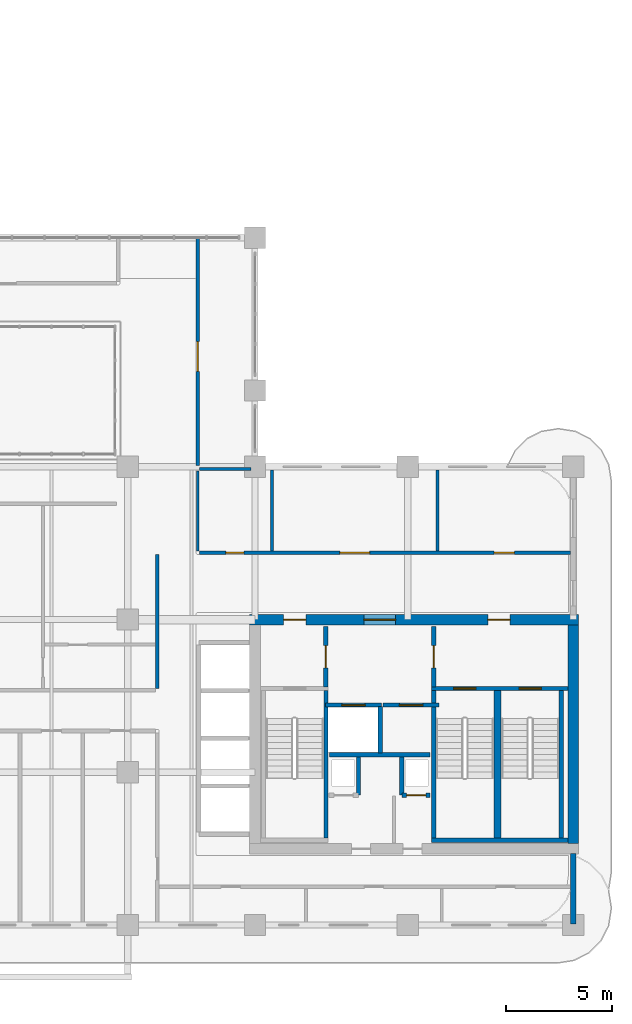
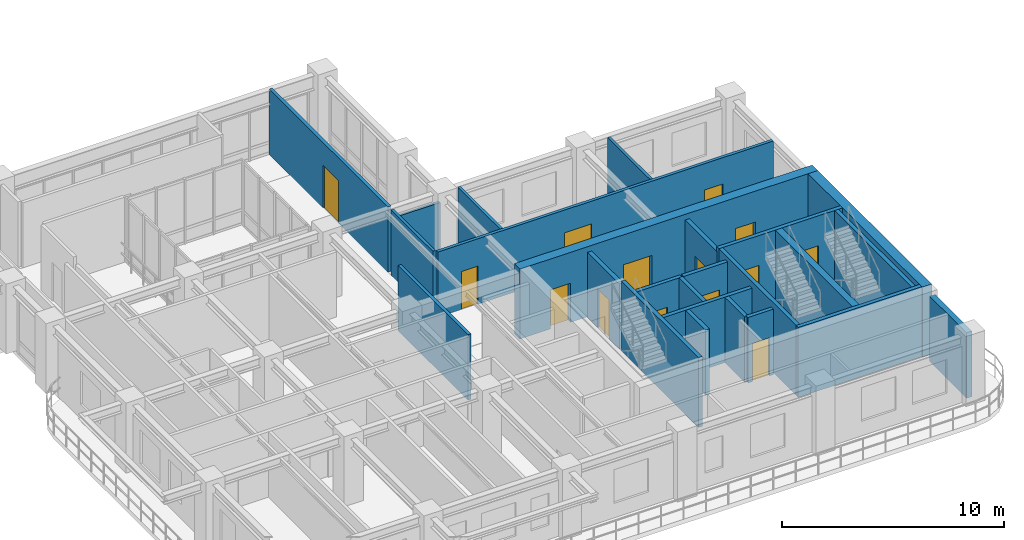
# One storey, part 13 of 21: 25 walls, 14 doors, 14 openings.
"""IFC4 building model written with IfcOpenShell, lengths in metres."""

from ifc_helpers import new_model, si_unit, derived_unit, direction, frame, frame_2d, origin, place, context, subcontext, project, spatial, rectangle, extrude, source, transform, mapped, material, layer, layer_set, type_object, type_shapes, element, fill, save


model = new_model("IFC4")

# Units and contexts
model_context = context("Model", 3, precision=1e-05, world=origin(), true_north=direction((0.0, 1.0)))
body_context = subcontext(model_context, "Body", "Model", "MODEL_VIEW")
ifc_project = project(units=[si_unit("LENGTHUNIT", "METRE"), si_unit("AREAUNIT", "SQUARE_METRE"), si_unit("VOLUMEUNIT", "CUBIC_METRE"), si_unit("PLANEANGLEUNIT", "RADIAN"), si_unit("MASSUNIT", "GRAM", prefix="KILO"), si_unit("THERMODYNAMICTEMPERATUREUNIT", "KELVIN"), si_unit("POWERUNIT", "WATT"), derived_unit("THERMALTRANSMITTANCEUNIT", [(si_unit("POWERUNIT", "WATT"), 1), (si_unit("AREAUNIT", "SQUARE_METRE"), -1), (si_unit("THERMODYNAMICTEMPERATUREUNIT", "KELVIN"), -1)])], contexts=[model_context])

# Site, building, storey
site_placement = place(None, origin())
site = spatial("IfcSite", under=ifc_project, at=site_placement, CompositionType="ELEMENT")
building_placement = place(site_placement, origin())
building = spatial("IfcBuilding", under=site, at=building_placement, Name="Zahravan Archway Hotel and Residences", CompositionType="ELEMENT")
storey_placement = place(building_placement, frame((0.0, 0.0, 165.699951171875)))
storey = spatial("IfcBuildingStorey", under=building, at=storey_placement, Name="L41", CompositionType="ELEMENT", Elevation=165.699951171875)

# Wall, openings, doors
ifc_material_1 = material(Name="Concrete C60/75", Category="concrete")
ifc_layer_1 = layer(ifc_material_1, 0.5, Name="Concrete C60/75", Category="concrete")
ifc_layer_set_1 = layer_set([ifc_layer_1], Name="Concrete C60/75")
wall_type_1 = type_object("IfcWallType", Name="CW-CORE-500", PredefinedType="SHEAR", material=ifc_layer_set_1)
wall_1_placement = place(storey_placement, frame((34.550048828125, 14.39990234375, 0.0), z_axis=(0.0, 0.0, 1.0), x_axis=(1.0, 0.0, 0.0)))
wall_1 = element("IfcWall", 1, at=wall_1_placement, inside=storey, type_object=wall_type_1, Name="L41 Core A Shear N Wall 500 mm", PredefinedType="SHEAR", context=body_context, shape_type="SweptSolid", body=[
    extrude(rectangle(XDim=15.5, YDim=0.5, at=frame_2d((7.75, 0.0))), origin(), (0.0, 0.0, 1.0), 3.85009765625),
])
opening_1_placement = place(wall_1_placement, frame((5.3798828125, 0.0, 0.0)))
opening_1 = element("IfcOpeningElement", 2, at=opening_1_placement, cuts=wall_1, Name="Opening FD-L1", PredefinedType="OPENING", context=body_context, shape_type="SweptSolid", body=[
    extrude(rectangle(XDim=1.5, YDim=2.199951171875, at=frame_2d((0.75, 1.10009765625))), frame((0.0, 0.260009765625, 0.0), z_axis=(0.0, -1.0, 0.0), x_axis=(1.0, 0.0, 0.0)), (0.0, 0.0, 1.0), 0.52001953125),
])
opening_2_placement = place(wall_1_placement, frame((1.594970703125, 0.0, 0.0)))
opening_2 = element("IfcOpeningElement", 3, at=opening_2_placement, cuts=wall_1, Name="Opening FD-L2", PredefinedType="OPENING", context=body_context, shape_type="SweptSolid", body=[
    extrude(rectangle(XDim=1.050048828125, YDim=2.14990234375, at=frame_2d((0.52490234375, 1.074951171875))), frame((0.0, 0.260009765625, 0.0), z_axis=(0.0, -1.0, 0.0), x_axis=(1.0, 0.0, 0.0)), (0.0, 0.0, 1.0), 0.52001953125),
])
opening_3_placement = place(wall_1_placement, frame((11.22509765625, 0.0, 0.0)))
opening_3 = element("IfcOpeningElement", 4, at=opening_3_placement, cuts=wall_1, Name="Opening FD-L2", PredefinedType="OPENING", context=body_context, shape_type="SweptSolid", body=[
    extrude(rectangle(XDim=1.050048828125, YDim=2.14990234375, at=frame_2d((0.52490234375, 1.074951171875))), frame((0.0, 0.260009765625, 0.0), z_axis=(0.0, -1.0, 0.0), x_axis=(1.0, 0.0, 0.0)), (0.0, 0.0, 1.0), 0.52001953125),
])
ifc_material_2 = material(Name="Fire-Rated Painted Steel", Category="steel")
door_type_1 = type_object("IfcDoorType", Name="FD-LOBBY-1100", OperationType="NOTDEFINED", PredefinedType="DOOR", material=ifc_material_2)
shared_shape_1 = source(origin(), body_context, "Body", "SweptSolid", [
    extrude(rectangle(XDim=1.050048828125, YDim=2.14990234375, at=frame_2d((0.52490234375, 1.074951171875))), frame((0.0, 0.02490234375, 0.0), z_axis=(0.0, -1.0, 0.0), x_axis=(1.0, 0.0, 0.0)), (0.0, 0.0, 1.0), 0.050048828125),
])
type_shapes(door_type_1, [shared_shape_1])
door_1_placement = place(opening_2_placement, origin())
door_1 = element("IfcDoor", 5, at=door_1_placement, inside=storey, type_object=door_type_1, Name="L41 Core A West Stair Lobby Door", OperationType="SINGLE_SWING_LEFT", OverallHeight=2.14990234375, OverallWidth=1.050048828125, PredefinedType="DOOR", context=body_context, shape_type="MappedRepresentation", body=[
    mapped(shared_shape_1, transform((0.0, 0.0, 0.0), scale=1.0)),
])
fill(opening_2, door_1)
door_2_placement = place(opening_3_placement, origin())
door_2 = element("IfcDoor", 6, at=door_2_placement, inside=storey, type_object=door_type_1, Name="L41 Core A East Stair Lobby Door", OperationType="SINGLE_SWING_RIGHT", OverallHeight=2.14990234375, OverallWidth=1.050048828125, PredefinedType="DOOR", context=body_context, shape_type="MappedRepresentation", body=[
    mapped(shared_shape_1, transform((0.0, 0.0, 0.0), scale=1.0)),
])
fill(opening_3, door_2)
door_type_2 = type_object("IfcDoorType", Name="FD-LOBBY-1500", OperationType="DOUBLE_DOOR_SINGLE_SWING", PredefinedType="DOOR", material=ifc_material_2)
shared_shape_2 = source(origin(), body_context, "Body", "SweptSolid", [
    extrude(rectangle(XDim=1.5, YDim=2.199951171875, at=frame_2d((0.75, 1.10009765625))), frame((0.0, 0.02490234375, 0.0), z_axis=(0.0, -1.0, 0.0), x_axis=(1.0, 0.0, 0.0)), (0.0, 0.0, 1.0), 0.050048828125),
])
type_shapes(door_type_2, [shared_shape_2])
door_3_placement = place(opening_1_placement, origin())
door_3 = element("IfcDoor", 7, at=door_3_placement, inside=storey, type_object=door_type_2, Name="L41 Core A FSAE Lobby Main Door", OperationType="DOUBLE_DOOR_SINGLE_SWING", OverallHeight=2.199951171875, OverallWidth=1.5, PredefinedType="DOOR", context=body_context, shape_type="MappedRepresentation", body=[
    mapped(shared_shape_2, transform((0.0, 0.0, 0.0), scale=1.0)),
])
fill(opening_1, door_3)

# Walls
wall_2_placement = place(storey_placement, frame((49.800048828125, 3.85009765625, 0.0), z_axis=(0.0, 0.0, 1.0), x_axis=(0.0, 1.0, 0.0)))
element("IfcWall", 8, at=wall_2_placement, inside=storey, type_object=wall_type_1, Name="L41 Core A Shear E Wall 500 mm", PredefinedType="SHEAR", context=body_context, shape_type="SweptSolid", body=[
    extrude(rectangle(XDim=10.2998046875, YDim=0.5, at=frame_2d((5.14990234375, 0.0))), origin(), (0.0, 0.0, 1.0), 3.85009765625),
])
ifc_material_3 = material(Name="Honed Red-Ochre Sandstone & Insulated Block", Category="masonry")
ifc_layer_2 = layer(ifc_material_3, 0.280029296875, Name="Honed Red-Ochre Sandstone & Insulated Block", Category="masonry")
ifc_layer_set_2 = layer_set([ifc_layer_2], Name="Honed Red-Ochre Sandstone & Insulated Block")
wall_type_2 = type_object("IfcWallType", Name="EW-LOG-280", PredefinedType="SOLIDWALL", material=ifc_layer_set_2)
wall_3_placement = place(storey_placement, frame((49.800048828125, 0.050048828125, 0.0), z_axis=(0.0, 0.0, 1.0), x_axis=(0.0, 1.0, 0.0)))
element("IfcWall", 9, at=wall_3_placement, inside=storey, type_object=wall_type_2, Name="L41 Exterior Sandstone Wall WA-ES", PredefinedType="SOLIDWALL", context=body_context, shape_type="SweptSolid", body=[
    extrude(rectangle(XDim=3.329833984375, YDim=0.280029296875, at=frame_2d((1.6650390625, 0.0))), origin(), (0.0, 0.0, 1.0), 3.60009765625),
])

# Wall, opening, door
ifc_material_4 = material(Name="Fire-Rated Gypsum & Concrete Block", Category="concrete")
ifc_layer_3 = layer(ifc_material_4, 0.219970703125, Name="Fire-Rated Gypsum & Concrete Block", Category="concrete")
ifc_layer_set_3 = layer_set([ifc_layer_3], Name="Fire-Rated Gypsum & Concrete Block")
wall_type_3 = type_object("IfcWallType", Name="PW-COMP-220", PredefinedType="PARTITIONING", material=ifc_layer_set_3)
wall_4_placement = place(storey_placement, frame((38.139892578125, 11.219970703125, 0.0), z_axis=(0.0, 0.0, 1.0), x_axis=(0.0, 1.0, 0.0)))
wall_4 = element("IfcWall", 10, at=wall_4_placement, inside=storey, type_object=wall_type_3, Name="L41 Partition CA-LOBW", PredefinedType="PARTITIONING", context=body_context, shape_type="SweptSolid", body=[
    extrude(rectangle(XDim=2.860107421875, YDim=0.219970703125, at=frame_2d((1.43017578125, 0.0))), origin(), (0.0, 0.0, 1.0), 3.60009765625),
])
opening_4_placement = place(wall_4_placement, frame((0.905029296875, 0.0, 0.0)))
opening_4 = element("IfcOpeningElement", 11, at=opening_4_placement, cuts=wall_4, Name="Opening FD-L2", PredefinedType="OPENING", context=body_context, shape_type="SweptSolid", body=[
    extrude(rectangle(XDim=1.050048828125, YDim=2.14990234375, at=frame_2d((0.52490234375, 1.074951171875))), frame((0.0, 0.1201171875, 0.0), z_axis=(0.0, -1.0, 0.0), x_axis=(1.0, 0.0, 0.0)), (0.0, 0.0, 1.0), 0.239990234375),
])
door_4_placement = place(opening_4_placement, origin())
door_4 = element("IfcDoor", 12, at=door_4_placement, inside=storey, type_object=door_type_1, Name="L41 Core A West Stair to FSAE Lobby Door", OperationType="SINGLE_SWING_LEFT", OverallHeight=2.14990234375, OverallWidth=1.050048828125, PredefinedType="DOOR", context=body_context, shape_type="MappedRepresentation", body=[
    mapped(shared_shape_1, transform((0.0, 0.0, 0.0), scale=1.0)),
])
fill(opening_4, door_4)

wall_5_placement = place(storey_placement, frame((43.219970703125, 11.219970703125, 0.0), z_axis=(0.0, 0.0, 1.0), x_axis=(0.0, 1.0, 0.0)))
wall_5 = element("IfcWall", 13, at=wall_5_placement, inside=storey, type_object=wall_type_3, Name="L41 Partition CA-LOBE", PredefinedType="PARTITIONING", context=body_context, shape_type="SweptSolid", body=[
    extrude(rectangle(XDim=2.860107421875, YDim=0.219970703125, at=frame_2d((1.43017578125, 0.0))), origin(), (0.0, 0.0, 1.0), 3.60009765625),
])
opening_5_placement = place(wall_5_placement, frame((0.905029296875, 0.0, 0.0)))
opening_5 = element("IfcOpeningElement", 14, at=opening_5_placement, cuts=wall_5, Name="Opening FD-L2", PredefinedType="OPENING", context=body_context, shape_type="SweptSolid", body=[
    extrude(rectangle(XDim=1.050048828125, YDim=2.14990234375, at=frame_2d((0.52490234375, 1.074951171875))), frame((0.0, 0.1201171875, 0.0), z_axis=(0.0, -1.0, 0.0), x_axis=(1.0, 0.0, 0.0)), (0.0, 0.0, 1.0), 0.239990234375),
])
door_5_placement = place(opening_5_placement, origin())
door_5 = element("IfcDoor", 15, at=door_5_placement, inside=storey, type_object=door_type_1, Name="L41 Core A East Stair to FSAE Lobby Door", OperationType="SINGLE_SWING_RIGHT", OverallHeight=2.14990234375, OverallWidth=1.050048828125, PredefinedType="DOOR", context=body_context, shape_type="MappedRepresentation", body=[
    mapped(shared_shape_1, transform((0.0, 0.0, 0.0), scale=1.0)),
])
fill(opening_5, door_5)

# Wall
ifc_layer_4 = layer(ifc_material_4, 0.159912109375, Name="Fire-Rated Gypsum & Concrete Block", Category="concrete")
ifc_layer_set_4 = layer_set([ifc_layer_4], Name="Fire-Rated Gypsum & Concrete Block")
wall_type_4 = type_object("IfcWallType", Name="PW-CORR-160", PredefinedType="PARTITIONING", material=ifc_layer_set_4)
wall_6_placement = place(storey_placement, frame((30.199951171875, 11.159912109375, 0.0), z_axis=(0.0, 0.0, 1.0), x_axis=(0.0, 1.0, 0.0)))
element("IfcWall", 16, at=wall_6_placement, inside=storey, type_object=wall_type_4, Name="L41 Partition WA-FW", PredefinedType="PARTITIONING", context=body_context, shape_type="SweptSolid", body=[
    extrude(rectangle(XDim=6.300048828125, YDim=0.159912109375, at=frame_2d((3.14990234375, 0.0))), origin(), (0.0, 0.0, 1.0), 3.60009765625),
])

# Wall, openings, doors
wall_7_placement = place(storey_placement, frame((32.18994140625, 17.550048828125, 0.0), z_axis=(0.0, 0.0, 1.0), x_axis=(1.0, 0.0, 0.0)))
wall_7 = element("IfcWall", 17, at=wall_7_placement, inside=storey, type_object=wall_type_4, Name="L41 Partition WA-FN", PredefinedType="PARTITIONING", context=body_context, shape_type="SweptSolid", body=[
    extrude(rectangle(XDim=17.469970703125, YDim=0.159912109375, at=frame_2d((8.73486328125, 0.0))), origin(), (0.0, 0.0, 1.0), 3.60009765625),
])
opening_6_placement = place(wall_7_placement, frame((1.235107421875, 0.0, 0.0)))
opening_6 = element("IfcOpeningElement", 18, at=opening_6_placement, cuts=wall_7, Name="Opening D-B1", PredefinedType="OPENING", context=body_context, shape_type="SweptSolid", body=[
    extrude(rectangle(XDim=0.85009765625, YDim=2.10009765625, at=frame_2d((0.425048828125, 1.050048828125))), frame((0.0, 0.08984375, 0.0), z_axis=(0.0, -1.0, 0.0), x_axis=(1.0, 0.0, 0.0)), (0.0, 0.0, 1.0), 0.179931640625),
])
opening_7_placement = place(wall_7_placement, frame((6.610107421875, 0.0, 0.0)))
opening_7 = element("IfcOpeningElement", 19, at=opening_7_placement, cuts=wall_7, Name="Opening D-P1", PredefinedType="OPENING", context=body_context, shape_type="SweptSolid", body=[
    extrude(rectangle(XDim=1.39990234375, YDim=2.35009765625, at=frame_2d((0.699951171875, 1.175048828125))), frame((0.0, 0.08984375, 0.0), z_axis=(0.0, -1.0, 0.0), x_axis=(1.0, 0.0, 0.0)), (0.0, 0.0, 1.0), 0.179931640625),
])
opening_8_placement = place(wall_7_placement, frame((13.885009765625, 0.0, 0.0)))
opening_8 = element("IfcOpeningElement", 20, at=opening_8_placement, cuts=wall_7, Name="Opening D-I1", PredefinedType="OPENING", context=body_context, shape_type="SweptSolid", body=[
    extrude(rectangle(XDim=0.949951171875, YDim=2.14990234375, at=frame_2d((0.47509765625, 1.074951171875))), frame((0.0, 0.08984375, 0.0), z_axis=(0.0, -1.0, 0.0), x_axis=(1.0, 0.0, 0.0)), (0.0, 0.0, 1.0), 0.179931640625),
])
ifc_material_5 = material(Name="Hardwood Veneer Timber", Category="wood")
door_type_3 = type_object("IfcDoorType", Name="ID-BATH-850", OperationType="NOTDEFINED", PredefinedType="DOOR", material=ifc_material_5)
shared_shape_3 = source(origin(), body_context, "Body", "SweptSolid", [
    extrude(rectangle(XDim=0.85009765625, YDim=2.10009765625, at=frame_2d((0.425048828125, 1.050048828125))), frame((0.0, 0.02490234375, 0.0), z_axis=(0.0, -1.0, 0.0), x_axis=(1.0, 0.0, 0.0)), (0.0, 0.0, 1.0), 0.050048828125),
])
type_shapes(door_type_3, [shared_shape_3])
door_6_placement = place(opening_6_placement, origin())
door_6 = element("IfcDoor", 21, at=door_6_placement, inside=storey, type_object=door_type_3, Name="L41 Accessible WC Door", OperationType="SINGLE_SWING_RIGHT", OverallHeight=2.10009765625, OverallWidth=0.85009765625, PredefinedType="DOOR", context=body_context, shape_type="MappedRepresentation", body=[
    mapped(shared_shape_3, transform((0.0, 0.0, 0.0), scale=1.0)),
])
fill(opening_6, door_6)
ifc_material_6 = material(Name="Bronze-Anodized Glazed Aluminium", Category="aluminium")
door_type_4 = type_object("IfcDoorType", Name="ID-PUBLIC-1400", OperationType="DOUBLE_DOOR_SINGLE_SWING", PredefinedType="DOOR", material=ifc_material_6)
shared_shape_4 = source(origin(), body_context, "Body", "SweptSolid", [
    extrude(rectangle(XDim=1.39990234375, YDim=2.35009765625, at=frame_2d((0.699951171875, 1.175048828125))), frame((0.0, 0.02490234375, 0.0), z_axis=(0.0, -1.0, 0.0), x_axis=(1.0, 0.0, 0.0)), (0.0, 0.0, 1.0), 0.050048828125),
])
type_shapes(door_type_4, [shared_shape_4])
door_7_placement = place(opening_7_placement, origin())
door_7 = element("IfcDoor", 22, at=door_7_placement, inside=storey, type_object=door_type_4, Name="L41 Private Dining Door", OperationType="DOUBLE_DOOR_SINGLE_SWING", OverallHeight=2.35009765625, OverallWidth=1.39990234375, PredefinedType="DOOR", context=body_context, shape_type="MappedRepresentation", body=[
    mapped(shared_shape_4, transform((0.0, 0.0, 0.0), scale=1.0)),
])
fill(opening_7, door_7)
door_type_5 = type_object("IfcDoorType", Name="ID-INT-950", OperationType="NOTDEFINED", PredefinedType="DOOR", material=ifc_material_5)
shared_shape_5 = source(origin(), body_context, "Body", "SweptSolid", [
    extrude(rectangle(XDim=0.949951171875, YDim=2.14990234375, at=frame_2d((0.47509765625, 1.074951171875))), frame((0.0, 0.02490234375, 0.0), z_axis=(0.0, -1.0, 0.0), x_axis=(1.0, 0.0, 0.0)), (0.0, 0.0, 1.0), 0.050048828125),
])
type_shapes(door_type_5, [shared_shape_5])
door_8_placement = place(opening_8_placement, origin())
door_8 = element("IfcDoor", 23, at=door_8_placement, inside=storey, type_object=door_type_5, Name="L41 Quiet Musalla Door", OperationType="SINGLE_SWING_LEFT", OverallHeight=2.14990234375, OverallWidth=0.949951171875, PredefinedType="DOOR", context=body_context, shape_type="MappedRepresentation", body=[
    mapped(shared_shape_5, transform((0.0, 0.0, 0.0), scale=1.0)),
])
fill(opening_8, door_8)

# Walls
ifc_layer_5 = layer(ifc_material_4, 0.199951171875, Name="Fire-Rated Gypsum & Concrete Block", Category="concrete")
ifc_layer_set_5 = layer_set([ifc_layer_5], Name="Fire-Rated Gypsum & Concrete Block")
wall_type_5 = type_object("IfcWallType", Name="PW-SHAFT-200", PredefinedType="PARTITIONING", material=ifc_layer_set_5)
wall_8_placement = place(storey_placement, frame((38.300048828125, 8.030029296875, 0.0), z_axis=(0.0, 0.0, 1.0), x_axis=(1.0, 0.0, 0.0)))
element("IfcWall", 24, at=wall_8_placement, inside=storey, type_object=wall_type_5, Name="L41 Partition CA-FLS", PredefinedType="PARTITIONING", context=body_context, shape_type="SweptSolid", body=[
    extrude(rectangle(XDim=4.739990234375, YDim=0.199951171875, at=frame_2d((2.3701171875, 0.0))), origin(), (0.0, 0.0, 1.0), 3.60009765625),
])
wall_9_placement = place(storey_placement, frame((40.699951171875, 8.1201171875, 0.0), z_axis=(0.0, 0.0, 1.0), x_axis=(0.0, 1.0, 0.0)))
element("IfcWall", 25, at=wall_9_placement, inside=storey, type_object=wall_type_5, Name="L41 Partition CA-FLM", PredefinedType="PARTITIONING", context=body_context, shape_type="SweptSolid", body=[
    extrude(rectangle(XDim=2.179931640625, YDim=0.199951171875, at=frame_2d((1.08984375, 0.0))), origin(), (0.0, 0.0, 1.0), 3.60009765625),
])
wall_10_placement = place(storey_placement, frame((39.679931640625, 6.1298828125, 0.0), z_axis=(0.0, 0.0, 1.0), x_axis=(0.0, 1.0, 0.0)))
element("IfcWall", 26, at=wall_10_placement, inside=storey, type_object=wall_type_5, Name="L41 Partition CA-SMKE", PredefinedType="PARTITIONING", context=body_context, shape_type="SweptSolid", body=[
    extrude(rectangle(XDim=1.7900390625, YDim=0.199951171875, at=frame_2d((0.89501953125, 0.0))), origin(), (0.0, 0.0, 1.0), 3.60009765625),
])

# Wall, opening, door
wall_11_placement = place(storey_placement, frame((41.72998046875, 6.1201171875, 0.0), z_axis=(0.0, 0.0, 1.0), x_axis=(1.0, 0.0, 0.0)))
wall_11 = element("IfcWall", 27, at=wall_11_placement, inside=storey, type_object=wall_type_5, Name="L41 Partition CA-MEPS", PredefinedType="PARTITIONING", context=body_context, shape_type="SweptSolid", body=[
    extrude(rectangle(XDim=1.320068359375, YDim=0.199951171875, at=frame_2d((0.66015625, 0.0))), origin(), (0.0, 0.0, 1.0), 3.60009765625),
])
opening_9_placement = place(wall_11_placement, frame((0.219970703125, 0.0, 0.0)))
opening_9 = element("IfcOpeningElement", 28, at=opening_9_placement, cuts=wall_11, Name="Opening FD-R1", PredefinedType="OPENING", context=body_context, shape_type="SweptSolid", body=[
    extrude(rectangle(XDim=0.89990234375, YDim=2.10009765625, at=frame_2d((0.449951171875, 1.050048828125))), frame((0.0, 0.10986328125, 0.0), z_axis=(0.0, -1.0, 0.0), x_axis=(1.0, 0.0, 0.0)), (0.0, 0.0, 1.0), 0.219970703125),
])
door_type_6 = type_object("IfcDoorType", Name="FD-RISER-900", OperationType="NOTDEFINED", PredefinedType="DOOR", material=ifc_material_2)
shared_shape_6 = source(origin(), body_context, "Body", "SweptSolid", [
    extrude(rectangle(XDim=0.89990234375, YDim=2.10009765625, at=frame_2d((0.449951171875, 1.050048828125))), frame((0.0, 0.02490234375, 0.0), z_axis=(0.0, -1.0, 0.0), x_axis=(1.0, 0.0, 0.0)), (0.0, 0.0, 1.0), 0.050048828125),
])
type_shapes(door_type_6, [shared_shape_6])
door_9_placement = place(opening_9_placement, origin())
door_9 = element("IfcDoor", 29, at=door_9_placement, inside=storey, type_object=door_type_6, Name="L41 MEP Riser Access Door", OperationType="SINGLE_SWING_RIGHT", OverallHeight=2.10009765625, OverallWidth=0.89990234375, PredefinedType="DOOR", context=body_context, shape_type="MappedRepresentation", body=[
    mapped(shared_shape_6, transform((0.0, 0.0, 0.0), scale=1.0)),
])
fill(opening_9, door_9)

# Wall
wall_12_placement = place(storey_placement, frame((41.719970703125, 6.1298828125, 0.0), z_axis=(0.0, 0.0, 1.0), x_axis=(0.0, 1.0, 0.0)))
element("IfcWall", 30, at=wall_12_placement, inside=storey, type_object=wall_type_5, Name="L41 Partition CA-MEPW", PredefinedType="PARTITIONING", context=body_context, shape_type="SweptSolid", body=[
    extrude(rectangle(XDim=1.7900390625, YDim=0.199951171875, at=frame_2d((0.89501953125, 0.0))), origin(), (0.0, 0.0, 1.0), 3.60009765625),
])

# Wall, opening, door
wall_13_placement = place(storey_placement, frame((38.1201171875, 10.3701171875, 0.0), z_axis=(0.0, 0.0, 1.0), x_axis=(1.0, 0.0, 0.0)))
wall_13 = element("IfcWall", 31, at=wall_13_placement, inside=storey, type_object=wall_type_5, Name="L41 Lift FL-1 Front Wall", PredefinedType="PARTITIONING", context=body_context, shape_type="SweptSolid", body=[
    extrude(rectangle(XDim=2.639892578125, YDim=0.199951171875, at=frame_2d((1.31982421875, 0.0))), origin(), (0.0, 0.0, 1.0), 3.60009765625),
])
opening_10_placement = place(wall_13_placement, frame((0.77001953125, 0.0, 0.0)))
opening_10 = element("IfcOpeningElement", 32, at=opening_10_placement, cuts=wall_13, Name="Opening LD", PredefinedType="OPENING", context=body_context, shape_type="SweptSolid", body=[
    extrude(rectangle(XDim=1.10009765625, YDim=2.199951171875, at=frame_2d((0.550048828125, 1.10009765625))), frame((0.0, 0.10986328125, 0.0), z_axis=(0.0, -1.0, 0.0), x_axis=(1.0, 0.0, 0.0)), (0.0, 0.0, 1.0), 0.219970703125),
])
ifc_material_7 = material(Name="Brushed Stainless Steel", Category="steel")
door_type_7 = type_object("IfcDoorType", Name="DR-LIFT-LD", OperationType="SLIDING_TO_LEFT", PredefinedType="DOOR", material=ifc_material_7)
shared_shape_7 = source(origin(), body_context, "Body", "SweptSolid", [
    extrude(rectangle(XDim=1.10009765625, YDim=2.199951171875, at=frame_2d((0.550048828125, 1.10009765625))), frame((0.0, 0.02490234375, 0.0), z_axis=(0.0, -1.0, 0.0), x_axis=(1.0, 0.0, 0.0)), (0.0, 0.0, 1.0), 0.050048828125),
])
type_shapes(door_type_7, [shared_shape_7])
door_10_placement = place(opening_10_placement, origin())
door_10 = element("IfcDoor", 33, at=door_10_placement, inside=storey, type_object=door_type_7, Name="L41 Lift FL-1 Sliding Landing Door", OperationType="SLIDING_TO_LEFT", OverallHeight=2.199951171875, OverallWidth=1.10009765625, PredefinedType="DOOR", context=body_context, shape_type="MappedRepresentation", body=[
    mapped(shared_shape_7, transform((0.0, 0.0, 0.0), scale=1.0)),
])
fill(opening_10, door_10)

wall_14_placement = place(storey_placement, frame((40.840087890625, 10.3701171875, 0.0), z_axis=(0.0, 0.0, 1.0), x_axis=(1.0, 0.0, 0.0)))
wall_14 = element("IfcWall", 34, at=wall_14_placement, inside=storey, type_object=wall_type_5, Name="L41 Lift FL-2 Front Wall", PredefinedType="PARTITIONING", context=body_context, shape_type="SweptSolid", body=[
    extrude(rectangle(XDim=2.639892578125, YDim=0.199951171875, at=frame_2d((1.31982421875, 0.0))), origin(), (0.0, 0.0, 1.0), 3.60009765625),
])
opening_11_placement = place(wall_14_placement, frame((0.77001953125, 0.0, 0.0)))
opening_11 = element("IfcOpeningElement", 35, at=opening_11_placement, cuts=wall_14, Name="Opening LD", PredefinedType="OPENING", context=body_context, shape_type="SweptSolid", body=[
    extrude(rectangle(XDim=1.10009765625, YDim=2.199951171875, at=frame_2d((0.550048828125, 1.10009765625))), frame((0.0, 0.10986328125, 0.0), z_axis=(0.0, -1.0, 0.0), x_axis=(1.0, 0.0, 0.0)), (0.0, 0.0, 1.0), 0.219970703125),
])
door_11_placement = place(opening_11_placement, origin())
door_11 = element("IfcDoor", 36, at=door_11_placement, inside=storey, type_object=door_type_7, Name="L41 Lift FL-2 Sliding Landing Door", OperationType="SLIDING_TO_LEFT", OverallHeight=2.199951171875, OverallWidth=1.10009765625, PredefinedType="DOOR", context=body_context, shape_type="MappedRepresentation", body=[
    mapped(shared_shape_7, transform((0.0, 0.0, 0.0), scale=1.0)),
])
fill(opening_11, door_11)

ifc_material_8 = material(Name="Acoustic Stud Partition")
ifc_layer_6 = layer(ifc_material_8, 0.169921875, Name="Acoustic Stud Partition")
ifc_layer_set_6 = layer_set([ifc_layer_6], Name="Acoustic Stud Partition")
wall_type_6 = type_object("IfcWallType", Name="PW-UNIT-170", PredefinedType="PARTITIONING", material=ifc_layer_set_6)
wall_15_placement = place(storey_placement, frame((32.10009765625, 21.669921875, 0.0), z_axis=(0.0, 0.0, 1.0), x_axis=(0.0, 1.0, 0.0)))
wall_15 = element("IfcWall", 37, at=wall_15_placement, inside=storey, type_object=wall_type_6, Name="L41 Partition ATR-E", PredefinedType="PARTITIONING", context=body_context, shape_type="SweptSolid", body=[
    extrude(rectangle(XDim=10.7021484375, YDim=0.169921875, at=frame_2d((5.35107421875, 0.0))), origin(), (0.0, 0.0, 1.0), 3.60009765625),
])
opening_12_placement = place(wall_15_placement, frame((4.429931640625, 0.0, 0.0)))
opening_12 = element("IfcOpeningElement", 38, at=opening_12_placement, cuts=wall_15, Name="Opening D-P1", PredefinedType="OPENING", context=body_context, shape_type="SweptSolid", body=[
    extrude(rectangle(XDim=1.39990234375, YDim=2.35009765625, at=frame_2d((0.699951171875, 1.175048828125))), frame((0.0, 0.094970703125, 0.0), z_axis=(0.0, -1.0, 0.0), x_axis=(1.0, 0.0, 0.0)), (0.0, 0.0, 1.0), 0.18994140625),
])
door_12_placement = place(opening_12_placement, origin())
door_12 = element("IfcDoor", 39, at=door_12_placement, inside=storey, type_object=door_type_4, Name="L41 Atrium Gallery Cafe Door", OperationType="DOUBLE_DOOR_SINGLE_SWING", OverallHeight=2.35009765625, OverallWidth=1.39990234375, PredefinedType="DOOR", context=body_context, shape_type="MappedRepresentation", body=[
    mapped(shared_shape_4, transform((0.0, 0.0, 0.0), scale=1.0)),
])
fill(opening_12, door_12)

# Walls
ifc_material_9 = material(Name="Moisture-Resistant Blockwork", Category="masonry")
ifc_layer_7 = layer(ifc_material_9, 0.139892578125, Name="Moisture-Resistant Blockwork", Category="masonry")
ifc_layer_set_7 = layer_set([ifc_layer_7], Name="Moisture-Resistant Blockwork")
wall_type_7 = type_object("IfcWallType", Name="PW-WET-140", PredefinedType="PARTITIONING", material=ifc_layer_set_7)
wall_16_placement = place(storey_placement, frame((32.10009765625, 17.639892578125, 0.0), z_axis=(0.0, 0.0, 1.0), x_axis=(0.0, 1.0, 0.0)))
element("IfcWall", 40, at=wall_16_placement, inside=storey, type_object=wall_type_7, Name="L41 Partition NE-W0", PredefinedType="PARTITIONING", context=body_context, shape_type="SweptSolid", body=[
    extrude(rectangle(XDim=3.77001953125, YDim=0.139892578125, at=frame_2d((1.885009765625, 0.0))), origin(), (0.0, 0.0, 1.0), 3.60009765625),
])
for number, where, z_axis, x_axis, name in (
    (41, (35.60009765625, 17.639892578125, 0.0), (0.0, 0.0, 1.0), (0.0, 1.0, 0.0), "L41 Partition NE3-1"),
    (42, (43.39990234375, 17.639892578125, 0.0), (0.0, 0.0, 1.0), (0.0, 1.0, 0.0), "L41 Partition NE3-2"),
):
    element("IfcWall", number, at=place(storey_placement, frame(where, z_axis=z_axis, x_axis=x_axis)), inside=storey, type_object=wall_type_7, Name=name, PredefinedType="PARTITIONING", context=body_context, shape_type="SweptSolid", body=[
        extrude(rectangle(XDim=3.81201171875, YDim=0.139892578125, at=frame_2d((1.906005859375, 0.0))), origin(), (0.0, 0.0, 1.0), 3.60009765625),
    ])
wall_17_placement = place(storey_placement, frame((32.18994140625, 21.5, 0.0), z_axis=(0.0, 0.0, 1.0), x_axis=(1.0, 0.0, 0.0)))
element("IfcWall", 43, at=wall_17_placement, inside=storey, type_object=wall_type_7, Name="L41 Partition ATR-ES", PredefinedType="PARTITIONING", context=body_context, shape_type="SweptSolid", body=[
    extrude(rectangle(XDim=2.420166015625, YDim=0.139892578125, at=frame_2d((1.2099609375, 0.0))), origin(), (0.0, 0.0, 1.0), 3.0849609375),
])
ifc_material_10 = material(Name="Concrete C50/60", Category="concrete")
ifc_layer_8 = layer(ifc_material_10, 0.199951171875, Name="Concrete C50/60", Category="concrete")
ifc_layer_set_8 = layer_set([ifc_layer_8], Name="Concrete C50/60")
wall_type_8 = type_object("IfcWallType", Name="SW-STAIR-200", PredefinedType="SHEAR", material=ifc_layer_set_8)
wall_18_placement = place(storey_placement, frame((38.139892578125, 4.10009765625, 0.0), z_axis=(0.0, 0.0, 1.0), x_axis=(0.0, 1.0, 0.0)))
element("IfcWall", 44, at=wall_18_placement, inside=storey, type_object=wall_type_8, Name="L41 Stairwell RC Wall CA-SA1E", PredefinedType="SHEAR", context=body_context, shape_type="SweptSolid", body=[
    extrude(rectangle(XDim=6.949951171875, YDim=0.199951171875, at=frame_2d((3.47509765625, 0.0))), origin(), (0.0, 0.0, 1.0), 3.85009765625),
])
wall_19_placement = place(storey_placement, frame((43.1201171875, 4.0, 0.0), z_axis=(0.0, 0.0, 1.0), x_axis=(1.0, 0.0, 0.0)))
element("IfcWall", 45, at=wall_19_placement, inside=storey, type_object=wall_type_8, Name="L41 Stairwell RC Wall CA-SA23S", PredefinedType="SHEAR", context=body_context, shape_type="SweptSolid", body=[
    extrude(rectangle(XDim=6.429931640625, YDim=0.199951171875, at=frame_2d((3.21484375, 0.0))), origin(), (0.0, 0.0, 1.0), 3.85009765625),
])
for number, where, z_axis, x_axis, name in (
    (46, (43.219970703125, 4.10009765625, 0.0), (0.0, 0.0, 1.0), (0.0, 1.0, 0.0), "L41 Stairwell RC Wall CA-SA2W"),
    (47, (49.239990234375, 4.10009765625, 0.0), (0.0, 0.0, 1.0), (0.0, 1.0, 0.0), "L41 Stairwell RC Wall CA-SA3E"),
):
    element("IfcWall", number, at=place(storey_placement, frame(where, z_axis=z_axis, x_axis=x_axis)), inside=storey, type_object=wall_type_8, Name=name, PredefinedType="SHEAR", context=body_context, shape_type="SweptSolid", body=[
        extrude(rectangle(XDim=6.949951171875, YDim=0.199951171875, at=frame_2d((3.47509765625, 0.0))), origin(), (0.0, 0.0, 1.0), 3.85009765625),
    ])

# Wall, openings, doors
wall_20_placement = place(storey_placement, frame((43.1201171875, 11.14990234375, 0.0), z_axis=(0.0, 0.0, 1.0), x_axis=(1.0, 0.0, 0.0)))
wall_20 = element("IfcWall", 48, at=wall_20_placement, inside=storey, type_object=wall_type_8, Name="L41 Stairwell RC Wall CA-SA23N", PredefinedType="SHEAR", context=body_context, shape_type="SweptSolid", body=[
    extrude(rectangle(XDim=6.429931640625, YDim=0.199951171875, at=frame_2d((3.21484375, 0.0))), origin(), (0.0, 0.0, 1.0), 3.85009765625),
])
opening_13_placement = place(wall_20_placement, frame((1.044921875, 0.0, 0.0)))
opening_13 = element("IfcOpeningElement", 49, at=opening_13_placement, cuts=wall_20, Name="Opening FD-S1", PredefinedType="OPENING", context=body_context, shape_type="SweptSolid", body=[
    extrude(rectangle(XDim=1.050048828125, YDim=2.199951171875, at=frame_2d((0.52490234375, 1.10009765625))), frame((0.0, 0.10986328125, 0.0), z_axis=(0.0, -1.0, 0.0), x_axis=(1.0, 0.0, 0.0)), (0.0, 0.0, 1.0), 0.219970703125),
])
opening_14_placement = place(wall_20_placement, frame((4.125, 0.0, 0.0)))
opening_14 = element("IfcOpeningElement", 50, at=opening_14_placement, cuts=wall_20, Name="Opening FD-S1", PredefinedType="OPENING", context=body_context, shape_type="SweptSolid", body=[
    extrude(rectangle(XDim=1.050048828125, YDim=2.199951171875, at=frame_2d((0.52490234375, 1.10009765625))), frame((0.0, 0.10986328125, 0.0), z_axis=(0.0, -1.0, 0.0), x_axis=(1.0, 0.0, 0.0)), (0.0, 0.0, 1.0), 0.219970703125),
])
door_type_8 = type_object("IfcDoorType", Name="FD-STAIR-1100", OperationType="NOTDEFINED", PredefinedType="DOOR", material=ifc_material_2)
shared_shape_8 = source(origin(), body_context, "Body", "SweptSolid", [
    extrude(rectangle(XDim=1.050048828125, YDim=2.199951171875, at=frame_2d((0.52490234375, 1.10009765625))), frame((0.0, 0.02490234375, 0.0), z_axis=(0.0, -1.0, 0.0), x_axis=(1.0, 0.0, 0.0)), (0.0, 0.0, 1.0), 0.050048828125),
])
type_shapes(door_type_8, [shared_shape_8])
door_13_placement = place(opening_13_placement, origin())
door_13 = element("IfcDoor", 51, at=door_13_placement, inside=storey, type_object=door_type_8, Name="L41 Stair ST-A2 Door", OperationType="SINGLE_SWING_LEFT", OverallHeight=2.199951171875, OverallWidth=1.050048828125, PredefinedType="DOOR", context=body_context, shape_type="MappedRepresentation", body=[
    mapped(shared_shape_8, transform((0.0, 0.0, 0.0), scale=1.0)),
])
fill(opening_13, door_13)
door_14_placement = place(opening_14_placement, origin())
door_14 = element("IfcDoor", 52, at=door_14_placement, inside=storey, type_object=door_type_8, Name="L41 Stair ST-A3 Door", OperationType="SINGLE_SWING_RIGHT", OverallHeight=2.199951171875, OverallWidth=1.050048828125, PredefinedType="DOOR", context=body_context, shape_type="MappedRepresentation", body=[
    mapped(shared_shape_8, transform((0.0, 0.0, 0.0), scale=1.0)),
])
fill(opening_14, door_14)

# Wall
ifc_layer_9 = layer(ifc_material_10, 0.340087890625, Name="Concrete C50/60", Category="concrete")
ifc_layer_set_9 = layer_set([ifc_layer_9], Name="Concrete C50/60")
wall_type_9 = type_object("IfcWallType", Name="SW-STAIR-340", PredefinedType="SHEAR", material=ifc_layer_set_9)
wall_21_placement = place(storey_placement, frame((46.22998046875, 4.10009765625, 0.0), z_axis=(0.0, 0.0, 1.0), x_axis=(0.0, 1.0, 0.0)))
element("IfcWall", 53, at=wall_21_placement, inside=storey, type_object=wall_type_9, Name="L41 Stairwell RC Wall CA-SA23M", PredefinedType="SHEAR", context=body_context, shape_type="SweptSolid", body=[
    extrude(rectangle(XDim=6.949951171875, YDim=0.340087890625, at=frame_2d((3.47509765625, 0.0))), origin(), (0.0, 0.0, 1.0), 3.85009765625),
])

save(model, "model.ifc")
